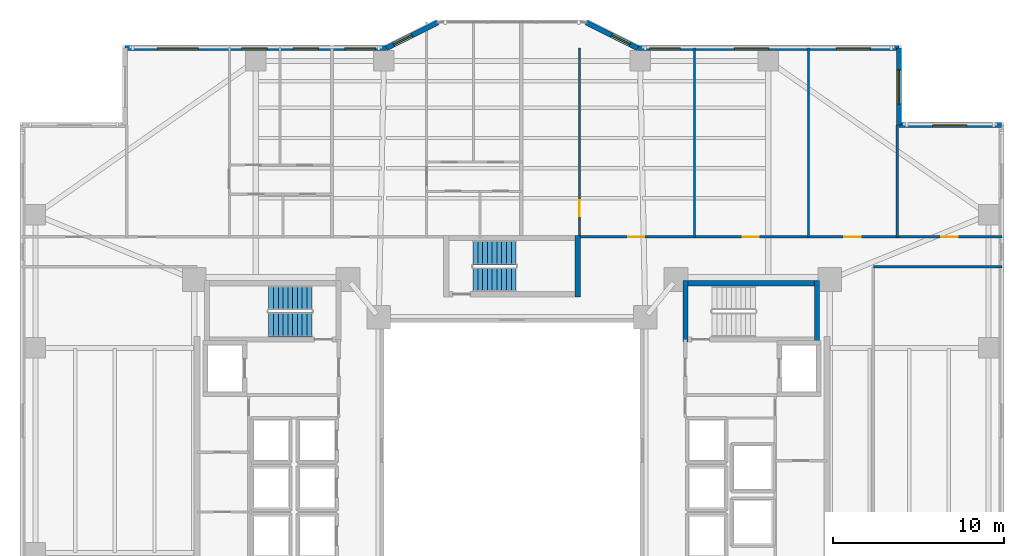
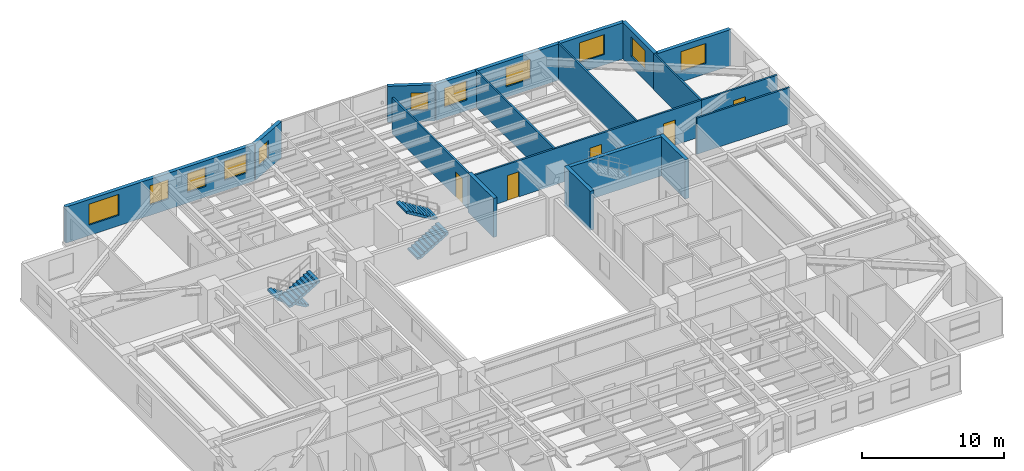
# One storey, part 15 of 21: 17 walls, 11 windows, 5 doors, 4 stair flights, 16 openings, 2 elements without a shape of their own.
"""IFC4 building model written with IfcOpenShell, lengths in metres."""

from ifc_helpers import new_model, si_unit, direction, frame, frame_2d, origin, place, context, subcontext, project, spatial, polyline, rectangle, outline, extrude, material, layer, layer_set, type_object, element, fill, aggregate, save


model = new_model("IFC4")

# Units and contexts
model_context = context("Model", 3, precision=1e-05, world=origin(), true_north=direction((0.0, 1.0)))
body_context = subcontext(model_context, "Body", "Model", "MODEL_VIEW")
ifc_project = project(units=[si_unit("LENGTHUNIT", "METRE"), si_unit("AREAUNIT", "SQUARE_METRE"), si_unit("VOLUMEUNIT", "CUBIC_METRE"), si_unit("PLANEANGLEUNIT", "RADIAN"), si_unit("MASSUNIT", "GRAM", prefix="KILO")], contexts=[model_context])

# Site, building, storey
site_placement = place(None, origin())
site = spatial("IfcSite", under=ifc_project, at=site_placement, CompositionType="ELEMENT")
building_placement = place(site_placement, origin())
building = spatial("IfcBuilding", under=site, at=building_placement, Name="Tarnavaz Court Tower", CompositionType="ELEMENT")
storey_placement = place(building_placement, frame((0.0, 0.0, 40.75)))
storey = spatial("IfcBuildingStorey", under=building, at=storey_placement, Name="L10", CompositionType="ELEMENT", Elevation=40.75)

# Walls
ifc_material_1 = material(Name="Concrete C60/75", Category="concrete")
ifc_layer_1 = layer(ifc_material_1, 0.300048828125)
ifc_layer_set_1 = layer_set([ifc_layer_1], Name="Concrete C60/75")
wall_type_1 = type_object("IfcWallType", Name="WL-CORE-300-C60", PredefinedType="SHEAR", material=ifc_layer_set_1)
wall_1_placement = place(storey_placement, frame((10.0, 9.7900390625, 0.0), z_axis=(0.0, 0.0, 1.0), x_axis=(1.0, 0.0, 0.0)))
element("IfcWall", 1, at=wall_1_placement, inside=storey, type_object=wall_type_1, Name="L10 East Stair Core Wall 005", PredefinedType="SHEAR", context=body_context, shape_type="SweptSolid", body=[
    extrude(rectangle(XDim=8.0, YDim=0.300048828125, at=frame_2d((4.0, 0.0))), origin(), (0.0, 0.0, 1.0), 3.35009765625),
])
for number, where, z_axis, x_axis, name in (
    (2, (10.14990234375, 6.35009765625, 0.0), (0.0, 0.0, 1.0), (0.0, 1.0, 0.0), "L10 East Stair Core Wall 007"),
    (3, (17.85009765625, 6.35009765625, 0.0), (0.0, 0.0, 1.0), (0.0, 1.0, 0.0), "L10 East Stair Core Wall 008"),
):
    element("IfcWall", number, at=place(storey_placement, frame(where, z_axis=z_axis, x_axis=x_axis)), inside=storey, type_object=wall_type_1, Name=name, PredefinedType="SHEAR", context=body_context, shape_type="SweptSolid", body=[
        extrude(rectangle(XDim=3.58984375, YDim=0.300048828125, at=frame_2d((1.794921875, 0.0))), origin(), (0.0, 0.0, 1.0), 3.35009765625),
    ])
wall_2_placement = place(storey_placement, frame((3.85009765625, 9.0, 0.0), z_axis=(0.0, 0.0, 1.0), x_axis=(0.0, 1.0, 0.0)))
element("IfcWall", 4, at=wall_2_placement, inside=storey, type_object=wall_type_1, Name="L10 North Stair Core Wall 012", PredefinedType="SHEAR", context=body_context, shape_type="SweptSolid", body=[
    extrude(rectangle(XDim=3.590087890625, YDim=0.300048828125, at=frame_2d((1.794921875, 0.0))), origin(), (0.0, 0.0, 1.0), 3.35009765625),
])

# Wall, openings, windows
ifc_material_2 = material(Name="Precast Concrete C40/50", Category="concrete")
ifc_layer_2 = layer(ifc_material_2, 0.300048828125)
ifc_layer_set_2 = layer_set([ifc_layer_2], Name="Precast Concrete C40/50")
wall_type_2 = type_object("IfcWallType", Name="WL-EXT-300", PredefinedType="SOLIDWALL", material=ifc_layer_set_2)
wall_3_placement = place(storey_placement, frame((-22.64990234375, 23.550048828125, 0.0), z_axis=(0.0, 0.0, 1.0), x_axis=(1.0, 0.0, 0.0)))
wall_3 = element("IfcWall", 5, at=wall_3_placement, inside=storey, type_object=wall_type_2, Name="L10 Exterior Terracotta Facade Wall 05", PredefinedType="SOLIDWALL", context=body_context, shape_type="SweptSolid", body=[
    extrude(rectangle(XDim=15.2998046875, YDim=0.300048828125, at=frame_2d((7.64990234375, 0.0))), origin(), (0.0, 0.0, 1.0), 3.10009765625),
])
opening_1_placement = place(wall_3_placement, frame((1.885009765625, 0.0, 0.89990234375)))
opening_1 = element("IfcOpeningElement", 6, at=opening_1_placement, cuts=wall_3, Name="Opening W06", PredefinedType="OPENING", context=body_context, shape_type="SweptSolid", body=[
    extrude(rectangle(XDim=2.39990234375, YDim=1.800048828125, at=frame_2d((1.199951171875, 0.89990234375))), frame((0.0, 0.159912109375, 0.0), z_axis=(0.0, -1.0, 0.0), x_axis=(1.0, 0.0, 0.0)), (0.0, 0.0, 1.0), 0.320068359375),
])
opening_2_placement = place(wall_3_placement, frame((6.82470703125, 0.0, 0.89990234375)))
opening_2 = element("IfcOpeningElement", 7, at=opening_2_placement, cuts=wall_3, Name="Opening W03", PredefinedType="OPENING", context=body_context, shape_type="SweptSolid", body=[
    extrude(rectangle(XDim=1.5, YDim=1.64990234375, at=frame_2d((0.75, 0.824951171875))), frame((0.0, 0.159912109375, 0.0), z_axis=(0.0, -1.0, 0.0), x_axis=(1.0, 0.0, 0.0)), (0.0, 0.0, 1.0), 0.320068359375),
])
opening_3_placement = place(wall_3_placement, frame((9.834716796875, 0.0, 0.89990234375)))
opening_3 = element("IfcOpeningElement", 8, at=opening_3_placement, cuts=wall_3, Name="Opening W03", PredefinedType="OPENING", context=body_context, shape_type="SweptSolid", body=[
    extrude(rectangle(XDim=1.5, YDim=1.64990234375, at=frame_2d((0.75, 0.824951171875))), frame((0.0, 0.159912109375, 0.0), z_axis=(0.0, -1.0, 0.0), x_axis=(1.0, 0.0, 0.0)), (0.0, 0.0, 1.0), 0.320068359375),
])
opening_4_placement = place(wall_3_placement, frame((12.8701171875, 0.0, 0.89990234375)))
opening_4 = element("IfcOpeningElement", 9, at=opening_4_placement, cuts=wall_3, Name="Opening W01", PredefinedType="OPENING", context=body_context, shape_type="SweptSolid", body=[
    extrude(rectangle(XDim=1.800048828125, YDim=1.64990234375, at=frame_2d((0.89990234375, 0.824951171875))), frame((0.0, 0.159912109375, 0.0), z_axis=(0.0, -1.0, 0.0), x_axis=(1.0, 0.0, 0.0)), (0.0, 0.0, 1.0), 0.320068359375),
])
ifc_material_3 = material(Name="Double-Glazed Solar Low-E Glass", Category="glass")
window_type_1 = type_object("IfcWindowType", Name="WN-APT-1500", PartitioningType="DOUBLE_PANEL_VERTICAL", PredefinedType="WINDOW", material=ifc_material_3)
window_1_placement = place(opening_2_placement, origin())
window_1 = element("IfcWindow", 10, at=window_1_placement, inside=storey, type_object=window_type_1, Name="L10 Flat 01 Principal Bedroom Window", OverallHeight=1.64990234375, OverallWidth=1.5, PartitioningType="SINGLE_PANEL", PredefinedType="WINDOW", context=body_context, shape_type="SweptSolid", body=[
    extrude(rectangle(XDim=1.5, YDim=1.64990234375, at=frame_2d((0.75, 0.824951171875))), frame((0.0, 0.030029296875, 0.0), z_axis=(0.0, -1.0, 0.0), x_axis=(1.0, 0.0, 0.0)), (0.0, 0.0, 1.0), 0.06005859375),
])
fill(opening_2, window_1)
window_2_placement = place(opening_3_placement, origin())
window_2 = element("IfcWindow", 11, at=window_2_placement, inside=storey, type_object=window_type_1, Name="L10 Flat 01 Bedroom 2 Window", OverallHeight=1.64990234375, OverallWidth=1.5, PartitioningType="SINGLE_PANEL", PredefinedType="WINDOW", context=body_context, shape_type="SweptSolid", body=[
    extrude(rectangle(XDim=1.5, YDim=1.64990234375, at=frame_2d((0.75, 0.824951171875))), frame((0.0, 0.030029296875, 0.0), z_axis=(0.0, -1.0, 0.0), x_axis=(1.0, 0.0, 0.0)), (0.0, 0.0, 1.0), 0.06005859375),
])
fill(opening_3, window_2)
window_type_2 = type_object("IfcWindowType", Name="WN-APT-1800", PartitioningType="DOUBLE_PANEL_VERTICAL", PredefinedType="WINDOW", material=ifc_material_3)
window_3_placement = place(opening_4_placement, origin())
window_3 = element("IfcWindow", 12, at=window_3_placement, inside=storey, type_object=window_type_2, Name="L10 Flat 02 Living and Dining Room Window", OverallHeight=1.64990234375, OverallWidth=1.800048828125, PartitioningType="SINGLE_PANEL", PredefinedType="WINDOW", context=body_context, shape_type="SweptSolid", body=[
    extrude(rectangle(XDim=1.800048828125, YDim=1.64990234375, at=frame_2d((0.89990234375, 0.824951171875))), frame((0.0, 0.030029296875, 0.0), z_axis=(0.0, -1.0, 0.0), x_axis=(1.0, 0.0, 0.0)), (0.0, 0.0, 1.0), 0.06005859375),
])
fill(opening_4, window_3)
window_type_3 = type_object("IfcWindowType", Name="WN-APT-2400", PartitioningType="TRIPLE_PANEL_VERTICAL", PredefinedType="WINDOW", material=ifc_material_3)
window_4_placement = place(opening_1_placement, origin())
window_4 = element("IfcWindow", 13, at=window_4_placement, inside=storey, type_object=window_type_3, Name="L10 Flat 01 Living and Dining Room Window", OverallHeight=1.800048828125, OverallWidth=2.39990234375, PartitioningType="SINGLE_PANEL", PredefinedType="WINDOW", context=body_context, shape_type="SweptSolid", body=[
    extrude(rectangle(XDim=2.39990234375, YDim=1.800048828125, at=frame_2d((1.199951171875, 0.89990234375))), frame((0.0, 0.030029296875, 0.0), z_axis=(0.0, -1.0, 0.0), x_axis=(1.0, 0.0, 0.0)), (0.0, 0.0, 1.0), 0.06005859375),
])
fill(opening_1, window_4)

# Wall, opening, window
wall_4_placement = place(storey_placement, frame((-7.35009765625, 23.550048828125, 0.0), z_axis=(0.0, 0.0, 1.0), x_axis=(0.894427191, 0.4472135955, 0.0)))
wall_4 = element("IfcWall", 14, at=wall_4_placement, inside=storey, type_object=wall_type_2, Name="L10 Exterior Terracotta Facade Wall 06", PredefinedType="SOLIDWALL", context=body_context, shape_type="SweptSolid", body=[
    extrude(rectangle(XDim=3.35400390625, YDim=0.300048828125, at=frame_2d((1.677001953125, 0.0))), origin(), (0.0, 0.0, 1.0), 3.10009765625),
])
opening_5_placement = place(wall_4_placement, frame((0.476318359375, 0.0, 0.949951171875)))
opening_5 = element("IfcOpeningElement", 15, at=opening_5_placement, cuts=wall_4, Name="Opening W05", PredefinedType="OPENING", context=body_context, shape_type="SweptSolid", body=[
    extrude(rectangle(XDim=1.199951171875, YDim=1.5, at=frame_2d((0.60009765625, 0.75))), frame((0.0, 0.159912109375, 0.0), z_axis=(0.0, -1.0, 0.0), x_axis=(1.0, 0.0, 0.0)), (0.0, 0.0, 1.0), 0.320068359375),
])
window_type_4 = type_object("IfcWindowType", Name="WN-APT-1200", PartitioningType="SINGLE_PANEL", PredefinedType="WINDOW", material=ifc_material_3)
window_5_placement = place(opening_5_placement, origin())
window_5 = element("IfcWindow", 16, at=window_5_placement, inside=storey, type_object=window_type_4, Name="L10 Flat 02 Living and Dining Room Window", OverallHeight=1.5, OverallWidth=1.199951171875, PartitioningType="SINGLE_PANEL", PredefinedType="WINDOW", context=body_context, shape_type="SweptSolid", body=[
    extrude(rectangle(XDim=1.199951171875, YDim=1.5, at=frame_2d((0.60009765625, 0.75))), frame((0.0, 0.030029296875, 0.0), z_axis=(0.0, -1.0, 0.0), x_axis=(1.0, 0.0, 0.0)), (0.0, 0.0, 1.0), 0.06005859375),
])
fill(opening_5, window_5)

wall_5_placement = place(storey_placement, frame((4.35009765625, 25.050048828125, 0.0), z_axis=(0.0, 0.0, 1.0), x_axis=(0.894427191, -0.4472135955, 0.0)))
wall_5 = element("IfcWall", 17, at=wall_5_placement, inside=storey, type_object=wall_type_2, Name="L10 Exterior Terracotta Facade Wall 08", PredefinedType="SOLIDWALL", context=body_context, shape_type="SweptSolid", body=[
    extrude(rectangle(XDim=3.35400390625, YDim=0.300048828125, at=frame_2d((1.677001953125, 0.0))), origin(), (0.0, 0.0, 1.0), 3.10009765625),
])
opening_6_placement = place(wall_5_placement, frame((1.65283203125, 0.0, 0.949951171875)))
opening_6 = element("IfcOpeningElement", 18, at=opening_6_placement, cuts=wall_5, Name="Opening W05", PredefinedType="OPENING", context=body_context, shape_type="SweptSolid", body=[
    extrude(rectangle(XDim=1.199951171875, YDim=1.5, at=frame_2d((0.60009765625, 0.75))), frame((0.0, 0.159912109375, 0.0), z_axis=(0.0, -1.0, 0.0), x_axis=(1.0, 0.0, 0.0)), (0.0, 0.0, 1.0), 0.320068359375),
])
window_6_placement = place(opening_6_placement, origin())
window_6 = element("IfcWindow", 19, at=window_6_placement, inside=storey, type_object=window_type_4, Name="L10 Resident Co-Working Study Room Window", OverallHeight=1.5, OverallWidth=1.199951171875, PartitioningType="SINGLE_PANEL", PredefinedType="WINDOW", context=body_context, shape_type="SweptSolid", body=[
    extrude(rectangle(XDim=1.199951171875, YDim=1.5, at=frame_2d((0.60009765625, 0.75))), frame((0.0, 0.030029296875, 0.0), z_axis=(0.0, -1.0, 0.0), x_axis=(1.0, 0.0, 0.0)), (0.0, 0.0, 1.0), 0.06005859375),
])
fill(opening_6, window_6)

# Wall, openings, windows
wall_6_placement = place(storey_placement, frame((7.35009765625, 23.550048828125, 0.0), z_axis=(0.0, 0.0, 1.0), x_axis=(1.0, 0.0, 0.0)))
wall_6 = element("IfcWall", 20, at=wall_6_placement, inside=storey, type_object=wall_type_2, Name="L10 Exterior Terracotta Facade Wall 09", PredefinedType="SOLIDWALL", context=body_context, shape_type="SweptSolid", body=[
    extrude(rectangle(XDim=15.2998046875, YDim=0.300048828125, at=frame_2d((7.64990234375, 0.0))), origin(), (0.0, 0.0, 1.0), 3.10009765625),
])
opening_7_placement = place(wall_6_placement, frame((0.705078125, 0.0, 0.89990234375)))
opening_7 = element("IfcOpeningElement", 21, at=opening_7_placement, cuts=wall_6, Name="Opening W01", PredefinedType="OPENING", context=body_context, shape_type="SweptSolid", body=[
    extrude(rectangle(XDim=1.800048828125, YDim=1.64990234375, at=frame_2d((0.89990234375, 0.824951171875))), frame((0.0, 0.159912109375, 0.0), z_axis=(0.0, -1.0, 0.0), x_axis=(1.0, 0.0, 0.0)), (0.0, 0.0, 1.0), 0.320068359375),
])
opening_8_placement = place(wall_6_placement, frame((5.671875, 0.0, 0.89990234375)))
opening_8 = element("IfcOpeningElement", 22, at=opening_8_placement, cuts=wall_6, Name="Opening W08", PredefinedType="OPENING", context=body_context, shape_type="SweptSolid", body=[
    extrude(rectangle(XDim=2.0, YDim=1.699951171875, at=frame_2d((1.0, 0.85009765625))), frame((0.0, 0.159912109375, 0.0), z_axis=(0.0, -1.0, 0.0), x_axis=(1.0, 0.0, 0.0)), (0.0, 0.0, 1.0), 0.320068359375),
])
opening_9_placement = place(wall_6_placement, frame((11.641357421875, 0.0, 0.89990234375)))
opening_9 = element("IfcOpeningElement", 23, at=opening_9_placement, cuts=wall_6, Name="Opening W08", PredefinedType="OPENING", context=body_context, shape_type="SweptSolid", body=[
    extrude(rectangle(XDim=2.0, YDim=1.699951171875, at=frame_2d((1.0, 0.85009765625))), frame((0.0, 0.159912109375, 0.0), z_axis=(0.0, -1.0, 0.0), x_axis=(1.0, 0.0, 0.0)), (0.0, 0.0, 1.0), 0.320068359375),
])
window_7_placement = place(opening_7_placement, origin())
window_7 = element("IfcWindow", 24, at=window_7_placement, inside=storey, type_object=window_type_2, Name="L10 Resident Co-Working Study Room Window", OverallHeight=1.64990234375, OverallWidth=1.800048828125, PartitioningType="SINGLE_PANEL", PredefinedType="WINDOW", context=body_context, shape_type="SweptSolid", body=[
    extrude(rectangle(XDim=1.800048828125, YDim=1.64990234375, at=frame_2d((0.89990234375, 0.824951171875))), frame((0.0, 0.030029296875, 0.0), z_axis=(0.0, -1.0, 0.0), x_axis=(1.0, 0.0, 0.0)), (0.0, 0.0, 1.0), 0.06005859375),
])
fill(opening_7, window_7)
window_type_5 = type_object("IfcWindowType", Name="WN-APT-2000", PartitioningType="DOUBLE_PANEL_VERTICAL", PredefinedType="WINDOW", material=ifc_material_3)
window_8_placement = place(opening_8_placement, origin())
window_8 = element("IfcWindow", 25, at=window_8_placement, inside=storey, type_object=window_type_5, Name="L10 Quiet Reading Library Room Window", OverallHeight=1.699951171875, OverallWidth=2.0, PartitioningType="SINGLE_PANEL", PredefinedType="WINDOW", context=body_context, shape_type="SweptSolid", body=[
    extrude(rectangle(XDim=2.0, YDim=1.699951171875, at=frame_2d((1.0, 0.85009765625))), frame((0.0, 0.030029296875, 0.0), z_axis=(0.0, -1.0, 0.0), x_axis=(1.0, 0.0, 0.0)), (0.0, 0.0, 1.0), 0.06005859375),
])
fill(opening_8, window_8)
window_9_placement = place(opening_9_placement, origin())
window_9 = element("IfcWindow", 26, at=window_9_placement, inside=storey, type_object=window_type_5, Name="L10 Resident Focus Seminar Room Window", OverallHeight=1.699951171875, OverallWidth=2.0, PartitioningType="SINGLE_PANEL", PredefinedType="WINDOW", context=body_context, shape_type="SweptSolid", body=[
    extrude(rectangle(XDim=2.0, YDim=1.699951171875, at=frame_2d((1.0, 0.85009765625))), frame((0.0, 0.030029296875, 0.0), z_axis=(0.0, -1.0, 0.0), x_axis=(1.0, 0.0, 0.0)), (0.0, 0.0, 1.0), 0.06005859375),
])
fill(opening_9, window_9)

# Wall, opening, window
wall_7_placement = place(storey_placement, frame((22.64990234375, 23.550048828125, 0.0), z_axis=(0.0, 0.0, 1.0), x_axis=(0.0, -1.0, 0.0)))
wall_7 = element("IfcWall", 27, at=wall_7_placement, inside=storey, type_object=wall_type_2, Name="L10 Exterior Terracotta Facade Wall 10", PredefinedType="SOLIDWALL", context=body_context, shape_type="SweptSolid", body=[
    extrude(rectangle(XDim=4.5, YDim=0.300048828125, at=frame_2d((2.25, 0.0))), origin(), (0.0, 0.0, 1.0), 3.10009765625),
])
opening_10_placement = place(wall_7_placement, frame((1.267578125, 0.0, 0.89990234375)))
opening_10 = element("IfcOpeningElement", 28, at=opening_10_placement, cuts=wall_7, Name="Opening W08", PredefinedType="OPENING", context=body_context, shape_type="SweptSolid", body=[
    extrude(rectangle(XDim=2.0, YDim=1.699951171875, at=frame_2d((1.0, 0.85009765625))), frame((0.0, 0.159912109375, 0.0), z_axis=(0.0, -1.0, 0.0), x_axis=(1.0, 0.0, 0.0)), (0.0, 0.0, 1.0), 0.320068359375),
])
window_10_placement = place(opening_10_placement, origin())
window_10 = element("IfcWindow", 29, at=window_10_placement, inside=storey, type_object=window_type_5, Name="L10 Resident Focus Seminar Room Window", OverallHeight=1.699951171875, OverallWidth=2.0, PartitioningType="SINGLE_PANEL", PredefinedType="WINDOW", context=body_context, shape_type="SweptSolid", body=[
    extrude(rectangle(XDim=2.0, YDim=1.699951171875, at=frame_2d((1.0, 0.85009765625))), frame((0.0, 0.030029296875, 0.0), z_axis=(0.0, -1.0, 0.0), x_axis=(1.0, 0.0, 0.0)), (0.0, 0.0, 1.0), 0.06005859375),
])
fill(opening_10, window_10)

wall_8_placement = place(storey_placement, frame((22.64990234375, 19.050048828125, 0.0), z_axis=(0.0, 0.0, 1.0), x_axis=(1.0, 0.0, 0.0)))
wall_8 = element("IfcWall", 30, at=wall_8_placement, inside=storey, type_object=wall_type_2, Name="L10 Exterior Terracotta Facade Wall 11", PredefinedType="SOLIDWALL", context=body_context, shape_type="SweptSolid", body=[
    extrude(rectangle(XDim=6.0, YDim=0.300048828125, at=frame_2d((3.0, 0.0))), origin(), (0.0, 0.0, 1.0), 3.10009765625),
])
opening_11_placement = place(wall_8_placement, frame((1.97509765625, 0.0, 0.89990234375)))
opening_11 = element("IfcOpeningElement", 31, at=opening_11_placement, cuts=wall_8, Name="Opening W08", PredefinedType="OPENING", context=body_context, shape_type="SweptSolid", body=[
    extrude(rectangle(XDim=2.0, YDim=1.699951171875, at=frame_2d((1.0, 0.85009765625))), frame((0.0, 0.159912109375, 0.0), z_axis=(0.0, -1.0, 0.0), x_axis=(1.0, 0.0, 0.0)), (0.0, 0.0, 1.0), 0.320068359375),
])
window_11_placement = place(opening_11_placement, origin())
window_11 = element("IfcWindow", 32, at=window_11_placement, inside=storey, type_object=window_type_5, Name="L10 North-East Corner Sunroom Study Window", OverallHeight=1.699951171875, OverallWidth=2.0, PartitioningType="SINGLE_PANEL", PredefinedType="WINDOW", context=body_context, shape_type="SweptSolid", body=[
    extrude(rectangle(XDim=2.0, YDim=1.699951171875, at=frame_2d((1.0, 0.85009765625))), frame((0.0, 0.030029296875, 0.0), z_axis=(0.0, -1.0, 0.0), x_axis=(1.0, 0.0, 0.0)), (0.0, 0.0, 1.0), 0.06005859375),
])
fill(opening_11, window_11)

# Wall, openings, doors
ifc_material_4 = material(Name="Gypsum Fire-Board on Acoustic Metal Stud", Category="masonry")
ifc_layer_3 = layer(ifc_material_4, 0.14990234375)
ifc_layer_set_3 = layer_set([ifc_layer_3], Name="Gypsum Fire-Board on Acoustic Metal Stud")
wall_type_3 = type_object("IfcWallType", Name="WL-FIRE-150", PredefinedType="PARTITIONING", material=ifc_layer_set_3)
wall_9_placement = place(storey_placement, frame((3.85009765625, 12.5, 0.0), z_axis=(0.0, 0.0, 1.0), x_axis=(1.0, 0.0, 0.0)))
wall_9 = element("IfcWall", 33, at=wall_9_placement, inside=storey, type_object=wall_type_3, Name="L10 NE Wing Corridor Wall 083", PredefinedType="PARTITIONING", context=body_context, shape_type="SweptSolid", body=[
    extrude(rectangle(XDim=18.699951171875, YDim=0.14990234375, at=frame_2d((9.35009765625, 0.0))), origin(), (0.0, 0.0, 1.0), 3.10009765625),
])
opening_12_placement = place(wall_9_placement, frame((2.94189453125, 0.0, 0.0)))
opening_12 = element("IfcOpeningElement", 34, at=opening_12_placement, cuts=wall_9, Name="Opening D13", PredefinedType="OPENING", context=body_context, shape_type="SweptSolid", body=[
    extrude(rectangle(XDim=0.949951171875, YDim=2.14990234375, at=frame_2d((0.47509765625, 1.074951171875))), frame((0.0, 0.0849609375, 0.0), z_axis=(0.0, -1.0, 0.0), x_axis=(1.0, 0.0, 0.0)), (0.0, 0.0, 1.0), 0.169921875),
])
opening_13_placement = place(wall_9_placement, frame((9.64697265625, 0.0, 0.0)))
opening_13 = element("IfcOpeningElement", 35, at=opening_13_placement, cuts=wall_9, Name="Opening D13", PredefinedType="OPENING", context=body_context, shape_type="SweptSolid", body=[
    extrude(rectangle(XDim=0.949951171875, YDim=2.14990234375, at=frame_2d((0.47509765625, 1.074951171875))), frame((0.0, 0.0849609375, 0.0), z_axis=(0.0, -1.0, 0.0), x_axis=(1.0, 0.0, 0.0)), (0.0, 0.0, 1.0), 0.169921875),
])
opening_14_placement = place(wall_9_placement, frame((15.610107421875, 0.0, 0.0)))
opening_14 = element("IfcOpeningElement", 36, at=opening_14_placement, cuts=wall_9, Name="Opening D13", PredefinedType="OPENING", context=body_context, shape_type="SweptSolid", body=[
    extrude(rectangle(XDim=0.949951171875, YDim=2.14990234375, at=frame_2d((0.47509765625, 1.074951171875))), frame((0.0, 0.0849609375, 0.0), z_axis=(0.0, -1.0, 0.0), x_axis=(1.0, 0.0, 0.0)), (0.0, 0.0, 1.0), 0.169921875),
])
ifc_material_5 = material(Name="Engineered Oak Timber", Category="wood")
door_type = type_object("IfcDoorType", Name="DR-INT-950", OperationType="NOTDEFINED", PredefinedType="DOOR", material=ifc_material_5)
door_1_placement = place(opening_12_placement, origin())
door_1 = element("IfcDoor", 37, at=door_1_placement, inside=storey, type_object=door_type, Name="L10 Resident Co-Working Study Room Door", OperationType="SINGLE_SWING_RIGHT", OverallHeight=2.14990234375, OverallWidth=0.949951171875, PredefinedType="DOOR", context=body_context, shape_type="SweptSolid", body=[
    extrude(rectangle(XDim=0.949951171875, YDim=2.14990234375, at=frame_2d((0.47509765625, 1.074951171875))), frame((0.0, 0.02490234375, 0.0), z_axis=(0.0, -1.0, 0.0), x_axis=(1.0, 0.0, 0.0)), (0.0, 0.0, 1.0), 0.050048828125),
])
fill(opening_12, door_1)
door_2_placement = place(opening_13_placement, origin())
door_2 = element("IfcDoor", 38, at=door_2_placement, inside=storey, type_object=door_type, Name="L10 Quiet Reading Library Room Door", OperationType="SINGLE_SWING_LEFT", OverallHeight=2.14990234375, OverallWidth=0.949951171875, PredefinedType="DOOR", context=body_context, shape_type="SweptSolid", body=[
    extrude(rectangle(XDim=0.949951171875, YDim=2.14990234375, at=frame_2d((0.47509765625, 1.074951171875))), frame((0.0, 0.02490234375, 0.0), z_axis=(0.0, -1.0, 0.0), x_axis=(1.0, 0.0, 0.0)), (0.0, 0.0, 1.0), 0.050048828125),
])
fill(opening_13, door_2)
door_3_placement = place(opening_14_placement, origin())
door_3 = element("IfcDoor", 39, at=door_3_placement, inside=storey, type_object=door_type, Name="L10 Resident Focus Seminar Room Door", OperationType="SINGLE_SWING_RIGHT", OverallHeight=2.14990234375, OverallWidth=0.949951171875, PredefinedType="DOOR", context=body_context, shape_type="SweptSolid", body=[
    extrude(rectangle(XDim=0.949951171875, YDim=2.14990234375, at=frame_2d((0.47509765625, 1.074951171875))), frame((0.0, 0.02490234375, 0.0), z_axis=(0.0, -1.0, 0.0), x_axis=(1.0, 0.0, 0.0)), (0.0, 0.0, 1.0), 0.050048828125),
])
fill(opening_14, door_3)

# Wall
wall_10_placement = place(storey_placement, frame((21.14990234375, 10.75, 0.0), z_axis=(0.0, 0.0, 1.0), x_axis=(1.0, 0.0, 0.0)))
element("IfcWall", 40, at=wall_10_placement, inside=storey, type_object=wall_type_3, Name="L10 Interior Partition 137", PredefinedType="PARTITIONING", context=body_context, shape_type="SweptSolid", body=[
    extrude(rectangle(XDim=7.530029296875, YDim=0.14990234375, at=frame_2d((3.76513671875, 0.0))), origin(), (0.0, 0.0, 1.0), 3.10009765625),
])

# Wall, opening, door
wall_11_placement = place(storey_placement, frame((22.550048828125, 12.5, 0.0), z_axis=(0.0, 0.0, 1.0), x_axis=(1.0, 0.0, 0.0)))
wall_11 = element("IfcWall", 41, at=wall_11_placement, inside=storey, type_object=wall_type_3, Name="L10 Interior Partition 143", PredefinedType="PARTITIONING", context=body_context, shape_type="SweptSolid", body=[
    extrude(rectangle(XDim=6.1298828125, YDim=0.14990234375, at=frame_2d((3.06494140625, 0.0))), origin(), (0.0, 0.0, 1.0), 3.10009765625),
])
opening_15_placement = place(wall_11_placement, frame((2.590087890625, 0.0, 0.0)))
opening_15 = element("IfcOpeningElement", 42, at=opening_15_placement, cuts=wall_11, Name="Opening D13", PredefinedType="OPENING", context=body_context, shape_type="SweptSolid", body=[
    extrude(rectangle(XDim=0.949951171875, YDim=2.14990234375, at=frame_2d((0.47509765625, 1.074951171875))), frame((0.0, 0.0849609375, 0.0), z_axis=(0.0, -1.0, 0.0), x_axis=(1.0, 0.0, 0.0)), (0.0, 0.0, 1.0), 0.169921875),
])
door_4_placement = place(opening_15_placement, origin())
door_4 = element("IfcDoor", 43, at=door_4_placement, inside=storey, type_object=door_type, Name="L10 NE Sunroom Door", OperationType="SINGLE_SWING_RIGHT", OverallHeight=2.14990234375, OverallWidth=0.949951171875, PredefinedType="DOOR", context=body_context, shape_type="SweptSolid", body=[
    extrude(rectangle(XDim=0.949951171875, YDim=2.14990234375, at=frame_2d((0.47509765625, 1.074951171875))), frame((0.0, 0.02490234375, 0.0), z_axis=(0.0, -1.0, 0.0), x_axis=(1.0, 0.0, 0.0)), (0.0, 0.0, 1.0), 0.050048828125),
])
fill(opening_15, door_4)

ifc_material_6 = material(Name="Gypsum Plasterboard Acoustic Partition", Category="masonry")
ifc_layer_4 = layer(ifc_material_6, 0.139892578125)
ifc_layer_set_4 = layer_set([ifc_layer_4], Name="Gypsum Plasterboard Acoustic Partition")
wall_type_4 = type_object("IfcWallType", Name="WL-PART-150", PredefinedType="PARTITIONING", material=ifc_layer_set_4)
wall_12_placement = place(storey_placement, frame((3.949951171875, 12.5, 0.0), z_axis=(0.0, 0.0, 1.0), x_axis=(0.0, 1.0, 0.0)))
wall_12 = element("IfcWall", 44, at=wall_12_placement, inside=storey, type_object=wall_type_4, Name="L10 Interior Partition 102", PredefinedType="PARTITIONING", context=body_context, shape_type="SweptSolid", body=[
    extrude(rectangle(XDim=11.050048828125, YDim=0.139892578125, at=frame_2d((5.52490234375, 0.0))), origin(), (0.0, 0.0, 1.0), 3.10009765625),
])
opening_16_placement = place(wall_12_placement, frame((1.199951171875, 0.0, 0.0)))
opening_16 = element("IfcOpeningElement", 45, at=opening_16_placement, cuts=wall_12, Name="Opening D13", PredefinedType="OPENING", context=body_context, shape_type="SweptSolid", body=[
    extrude(rectangle(XDim=0.949951171875, YDim=2.14990234375, at=frame_2d((0.47509765625, 1.074951171875))), frame((0.0, 0.079833984375, 0.0), z_axis=(0.0, -1.0, 0.0), x_axis=(1.0, 0.0, 0.0)), (0.0, 0.0, 1.0), 0.159912109375),
])
door_5_placement = place(opening_16_placement, origin())
door_5 = element("IfcDoor", 46, at=door_5_placement, inside=storey, type_object=door_type, Name="L10 NE Iwan Reading Door", OperationType="SINGLE_SWING_LEFT", OverallHeight=2.14990234375, OverallWidth=0.949951171875, PredefinedType="DOOR", context=body_context, shape_type="SweptSolid", body=[
    extrude(rectangle(XDim=0.949951171875, YDim=2.14990234375, at=frame_2d((0.47509765625, 1.074951171875))), frame((0.0, 0.02490234375, 0.0), z_axis=(0.0, -1.0, 0.0), x_axis=(1.0, 0.0, 0.0)), (0.0, 0.0, 1.0), 0.050048828125),
])
fill(opening_16, door_5)

# Walls
for number, where, z_axis, x_axis, name in (
    (47, (10.68408203125, 12.5, 0.0), (0.0, 0.0, 1.0), (0.0, 1.0, 0.0), "L10 Interior Partition 103"),
    (48, (17.35888671875, 12.5, 0.0), (0.0, 0.0, 1.0), (0.0, 1.0, 0.0), "L10 Interior Partition 104"),
):
    element("IfcWall", number, at=place(storey_placement, frame(where, z_axis=z_axis, x_axis=x_axis)), inside=storey, type_object=wall_type_4, Name=name, PredefinedType="PARTITIONING", context=body_context, shape_type="SweptSolid", body=[
        extrude(rectangle(XDim=11.050048828125, YDim=0.139892578125, at=frame_2d((5.52490234375, 0.0))), origin(), (0.0, 0.0, 1.0), 3.10009765625),
    ])
wall_13_placement = place(storey_placement, frame((22.550048828125, 12.5, 0.0), z_axis=(0.0, 0.0, 1.0), x_axis=(0.0, 1.0, 0.0)))
element("IfcWall", 49, at=wall_13_placement, inside=storey, type_object=wall_type_4, Name="L10 Interior Partition 141", PredefinedType="PARTITIONING", context=body_context, shape_type="SweptSolid", body=[
    extrude(rectangle(XDim=6.550048828125, YDim=0.139892578125, at=frame_2d((3.27490234375, 0.0))), origin(), (0.0, 0.0, 1.0), 3.10009765625),
])

# Stair, stair flights
ifc_material_7 = material(Name="Concrete C40/50", Category="concrete")
stair_type = type_object("IfcStairType", Name="ST-TWR-20R", PredefinedType="HALF_TURN_STAIR", material=ifc_material_7)
stair_1_placement = place(storey_placement, origin())
stair_1 = element("IfcStair", 50, at=stair_1_placement, inside=storey, type_object=stair_type, Name="L10 West Core Pressurized Exit Stair ST-W1", PredefinedType="HALF_TURN_STAIR")
stair_flight_type = type_object("IfcStairFlightType", Name="SFL-RC-20R", PredefinedType="STRAIGHT", material=ifc_material_7)
stair_flight_1_placement = place(storey_placement, frame((-11.719970703125, 8.929931640625, 0.0), z_axis=(0.0, 0.0, 1.0), x_axis=(-1.0, 0.0, 0.0)))
stair_flight_1 = element("IfcStairFlight", 51, at=stair_flight_1_placement, type_object=stair_flight_type, Name="ST-W1 flight 1", NumberOfRisers=10, NumberOfTreads=9, PredefinedType="STRAIGHT", RiserHeight=0.1675, TreadLength=0.28, context=body_context, shape_type="SweptSolid", body=[
    extrude(outline(polyline([(0.0, 0.0), (0.0, 0.16748046875), (0.280029296875, 0.16748046875), (0.280029296875, 0.3349609375), (0.56005859375, 0.3349609375), (0.56005859375, 0.50244140625), (0.840087890625, 0.50244140625), (0.840087890625, 0.669921875), (1.1201171875, 0.669921875), (1.1201171875, 0.83740234375), (1.39990234375, 0.83740234375), (1.39990234375, 1.0048828125), (1.679931640625, 1.0048828125), (1.679931640625, 1.172607421875), (1.9599609375, 1.172607421875), (1.9599609375, 1.340087890625), (2.239990234375, 1.340087890625), (2.239990234375, 1.507568359375), (2.52001953125, 1.507568359375), (2.52001953125, 1.675048828125), (2.52001953125, 1.332763671875), (0.2919921875, 0.0), (0.0, 0.0)])), frame((0.0, 0.7099609375, 0.0), z_axis=(0.0, -1.0, 0.0), x_axis=(1.0, 0.0, 0.0)), (0.0, 0.0, 1.0), 1.419921875),
])
stair_flight_2_placement = place(storey_placement, frame((-14.239990234375, 7.360107421875, 1.675048828125), z_axis=(0.0, 0.0, 1.0), x_axis=(1.0, 0.0, 0.0)))
stair_flight_2 = element("IfcStairFlight", 52, at=stair_flight_2_placement, type_object=stair_flight_type, Name="ST-W1 flight 2", NumberOfRisers=10, NumberOfTreads=9, PredefinedType="STRAIGHT", RiserHeight=0.1675, TreadLength=0.28, context=body_context, shape_type="SweptSolid", body=[
    extrude(outline(polyline([(0.0, 0.0), (0.0, 0.16748046875), (0.280029296875, 0.16748046875), (0.280029296875, 0.3349609375), (0.56005859375, 0.3349609375), (0.56005859375, 0.50244140625), (0.840087890625, 0.50244140625), (0.840087890625, 0.669921875), (1.1201171875, 0.669921875), (1.1201171875, 0.83740234375), (1.39990234375, 0.83740234375), (1.39990234375, 1.0048828125), (1.679931640625, 1.0048828125), (1.679931640625, 1.172607421875), (1.9599609375, 1.172607421875), (1.9599609375, 1.340087890625), (2.239990234375, 1.340087890625), (2.239990234375, 1.507568359375), (2.52001953125, 1.507568359375), (2.52001953125, 1.675048828125), (2.52001953125, 1.332763671875), (0.2919921875, 0.0), (0.0, 0.0)])), frame((0.0, 0.7099609375, 0.0), z_axis=(0.0, -1.0, 0.0), x_axis=(1.0, 0.0, 0.0)), (0.0, 0.0, 1.0), 1.419921875),
])
aggregate(stair_1, [stair_flight_1, stair_flight_2])

stair_2_placement = place(storey_placement, origin())
stair_2 = element("IfcStair", 53, at=stair_2_placement, inside=storey, type_object=stair_type, Name="L10 North Ring Pressurized Exit Stair ST-N1", PredefinedType="HALF_TURN_STAIR")
stair_flight_3_placement = place(storey_placement, frame((-2.280029296875, 10.010009765625, 0.0), z_axis=(0.0, 0.0, 1.0), x_axis=(1.0, 0.0, 0.0)))
stair_flight_3 = element("IfcStairFlight", 54, at=stair_flight_3_placement, type_object=stair_flight_type, Name="ST-N1 flight 1", NumberOfRisers=10, NumberOfTreads=9, PredefinedType="STRAIGHT", RiserHeight=0.1675, TreadLength=0.28, context=body_context, shape_type="SweptSolid", body=[
    extrude(outline(polyline([(0.0, 0.0), (0.0, 0.16748046875), (0.280029296875, 0.16748046875), (0.280029296875, 0.3349609375), (0.56005859375, 0.3349609375), (0.56005859375, 0.50244140625), (0.840087890625, 0.50244140625), (0.840087890625, 0.669921875), (1.1201171875, 0.669921875), (1.1201171875, 0.83740234375), (1.39990234375, 0.83740234375), (1.39990234375, 1.0048828125), (1.679931640625, 1.0048828125), (1.679931640625, 1.172607421875), (1.9599609375, 1.172607421875), (1.9599609375, 1.340087890625), (2.239990234375, 1.340087890625), (2.239990234375, 1.507568359375), (2.52001953125, 1.507568359375), (2.52001953125, 1.675048828125), (2.52001953125, 1.332763671875), (0.2919921875, 0.0), (0.0, 0.0)])), frame((0.0, 0.7099609375, 0.0), z_axis=(0.0, -1.0, 0.0), x_axis=(1.0, 0.0, 0.0)), (0.0, 0.0, 1.0), 1.419921875),
])
stair_flight_4_placement = place(storey_placement, frame((0.239990234375, 11.580078125, 1.675048828125), z_axis=(0.0, 0.0, 1.0), x_axis=(-1.0, 0.0, 0.0)))
stair_flight_4 = element("IfcStairFlight", 55, at=stair_flight_4_placement, type_object=stair_flight_type, Name="ST-N1 flight 2", NumberOfRisers=10, NumberOfTreads=9, PredefinedType="STRAIGHT", RiserHeight=0.1675, TreadLength=0.28, context=body_context, shape_type="SweptSolid", body=[
    extrude(outline(polyline([(0.0, 0.0), (0.0, 0.16748046875), (0.280029296875, 0.16748046875), (0.280029296875, 0.3349609375), (0.56005859375, 0.3349609375), (0.56005859375, 0.50244140625), (0.840087890625, 0.50244140625), (0.840087890625, 0.669921875), (1.1201171875, 0.669921875), (1.1201171875, 0.83740234375), (1.39990234375, 0.83740234375), (1.39990234375, 1.0048828125), (1.679931640625, 1.0048828125), (1.679931640625, 1.172607421875), (1.9599609375, 1.172607421875), (1.9599609375, 1.340087890625), (2.239990234375, 1.340087890625), (2.239990234375, 1.507568359375), (2.52001953125, 1.507568359375), (2.52001953125, 1.675048828125), (2.52001953125, 1.332763671875), (0.2919921875, 0.0), (0.0, 0.0)])), frame((0.0, 0.7099609375, 0.0), z_axis=(0.0, -1.0, 0.0), x_axis=(1.0, 0.0, 0.0)), (0.0, 0.0, 1.0), 1.419921875),
])
aggregate(stair_2, [stair_flight_3, stair_flight_4])

save(model, "model.ifc")
